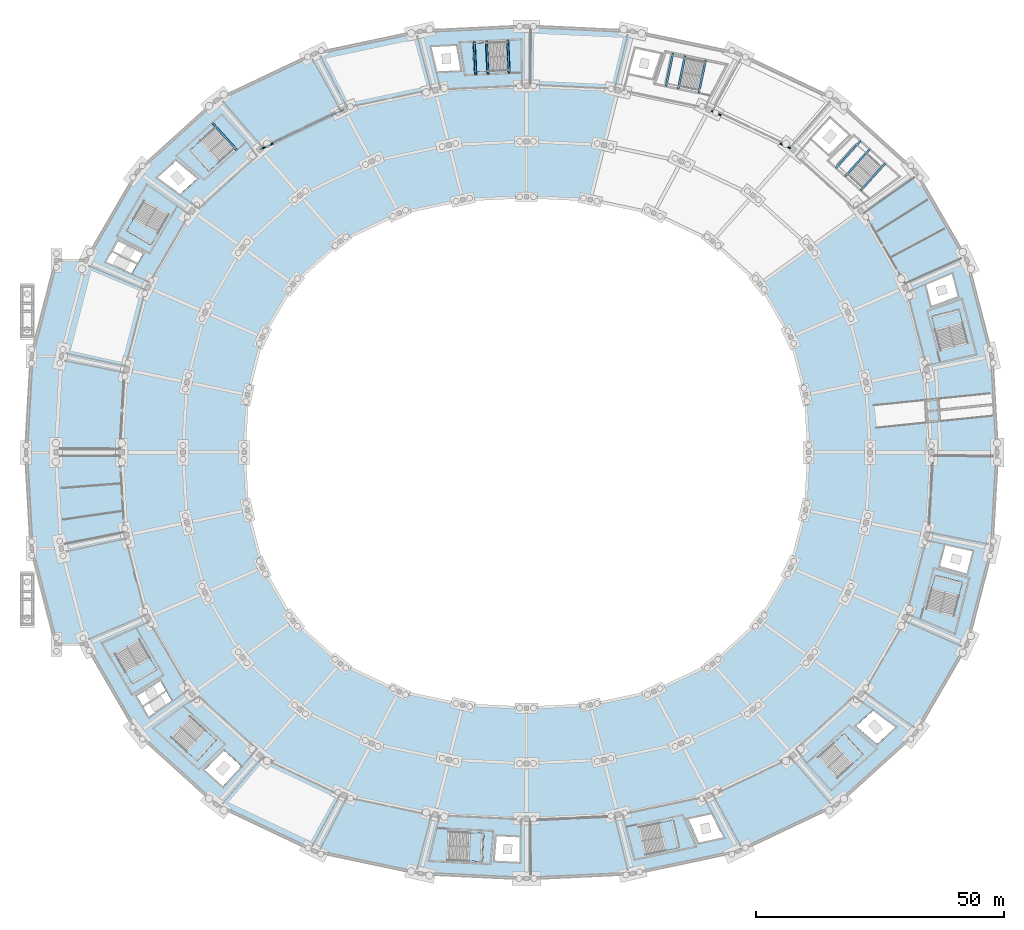
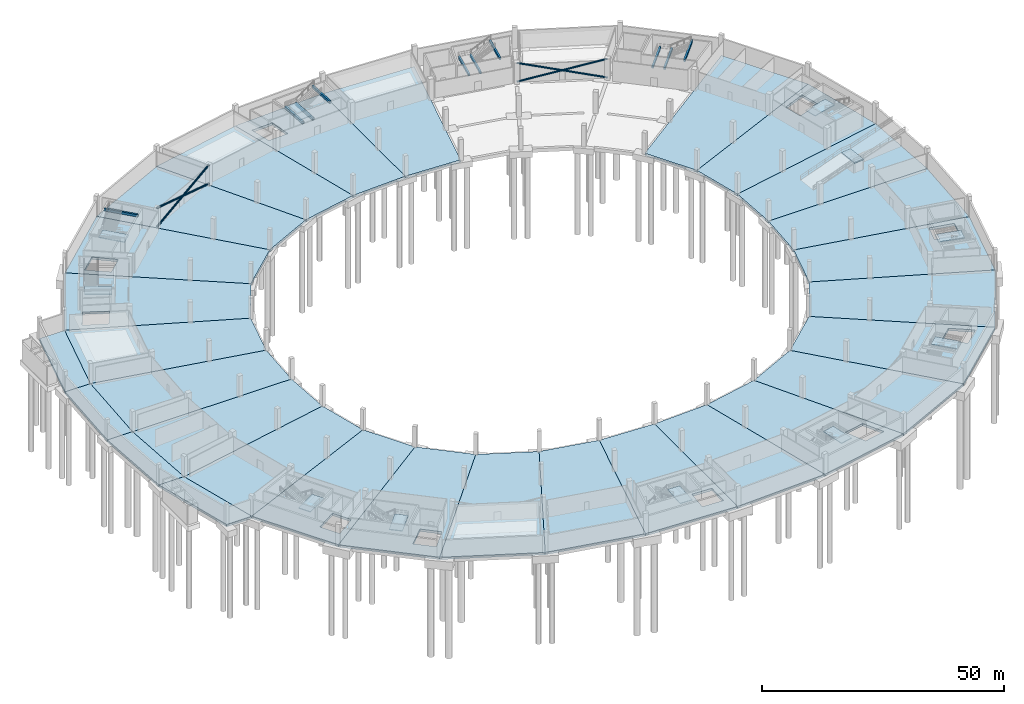
# One storey, part 8 of 49: 40 slabs, 10 beams, 4 members, 10 elements without a shape of their own.
"""IFC4 building model written with IfcOpenShell, lengths in metres."""

from ifc_helpers import new_model, si_unit, direction, frame, origin, origin_2d, place, context, subcontext, project, spatial, polyline, rectangle, hollow_circle, outline, extrude, material, layer, layer_set, material_profile, profile_set, type_object, element, aggregate, save


model = new_model("IFC4")

# Units and contexts
model_context = context("Model", 3, precision=1e-05, world=origin(), true_north=direction((0.0, 1.0)))
body_context = subcontext(model_context, "Body", "Model", "MODEL_VIEW")
ifc_project = project(units=[si_unit("LENGTHUNIT", "METRE"), si_unit("AREAUNIT", "SQUARE_METRE"), si_unit("VOLUMEUNIT", "CUBIC_METRE"), si_unit("PLANEANGLEUNIT", "RADIAN"), si_unit("MASSUNIT", "GRAM", prefix="KILO")], contexts=[model_context])

# Site, building, storey
site_placement = place(None, origin())
site = spatial("IfcSite", under=ifc_project, at=site_placement, CompositionType="ELEMENT")
building_placement = place(site_placement, origin())
building = spatial("IfcBuilding", under=site, at=building_placement, Name="Kazemori Nagisa Stadium", CompositionType="ELEMENT")
storey_placement = place(building_placement, frame((0.0, 0.0, -5.43994140625)))
storey = spatial("IfcBuildingStorey", under=building, at=storey_placement, Name="B1", CompositionType="ELEMENT", Elevation=-5.43994140625)

# Beams
ifc_material_1 = material(Name="Concrete C40/50 (Fc42)", Category="concrete")
ifc_material_profile_1 = material_profile(ifc_material_1, rectangle(XDim=0.39990234375, YDim=0.60009765625, at=origin_2d()), Name="RC-BM-400x600")
ifc_profile_set_1 = profile_set([ifc_material_profile_1], Name="Concrete C40/50 (Fc42)")
beam_type = type_object("IfcBeamType", Name="Beam_BG-LND400X600", PredefinedType="BEAM", material=ifc_profile_set_1)
beam_1_placement = place(storey_placement, frame((187.307373046875, 157.717041015625, 2.219970703125), z_axis=(0.671129682405, 0.741339968837, 0.0), x_axis=(-0.741339968837, 0.671129682405, 0.0)))
element("IfcBeam", 1, at=beam_1_placement, inside=storey, type_object=beam_type, Name="Core stair mid-landing girder ST01-B1-1", PredefinedType="BEAM", context=body_context, shape_type="SweptSolid", body=[
    extrude(rectangle(XDim=0.39990234375, YDim=0.60009765625, at=origin_2d()), origin(), (0.0, 0.0, 1.0), 7.3857421875),
])
beam_2_placement = place(storey_placement, frame((185.4541015625, 159.394775390625, 2.219970703125), z_axis=(0.671113236271, 0.74135485707, 0.0), x_axis=(-0.74135485707, 0.671113236271, 0.0)))
element("IfcBeam", 2, at=beam_2_placement, inside=storey, type_object=beam_type, Name="Core stair mid-landing girder ST01-B1-2", PredefinedType="BEAM", context=body_context, shape_type="SweptSolid", body=[
    extrude(rectangle(XDim=0.39990234375, YDim=0.60009765625, at=origin_2d()), origin(), (0.0, 0.0, 1.0), 7.385986328125),
])
beam_3_placement = place(storey_placement, frame((190.454345703125, 154.8681640625, 4.83984375), z_axis=(0.671129682405, 0.741339968837, 0.0), x_axis=(-0.741339968837, 0.671129682405, 0.0)))
element("IfcBeam", 3, at=beam_3_placement, inside=storey, type_object=beam_type, Name="Core stair arrival header girder ST01-B1", PredefinedType="BEAM", context=body_context, shape_type="SweptSolid", body=[
    extrude(rectangle(XDim=0.39990234375, YDim=0.60009765625, at=origin_2d()), origin(), (0.0, 0.0, 1.0), 7.3857421875),
])
beam_4_placement = place(storey_placement, frame((153.6015625, 175.377685546875, 2.219970703125), z_axis=(0.20695595975, 0.978350259735, 0.0), x_axis=(-0.978350259735, 0.20695595975, 0.0)))
element("IfcBeam", 4, at=beam_4_placement, inside=storey, type_object=beam_type, Name="Core stair mid-landing girder ST11-B1-1", PredefinedType="BEAM", context=body_context, shape_type="SweptSolid", body=[
    extrude(rectangle(XDim=0.39990234375, YDim=0.60009765625, at=origin_2d()), origin(), (0.0, 0.0, 1.0), 6.83154296875),
])
for number, where, z_axis, x_axis, name in (
    (5, (151.155517578125, 175.895263671875, 2.219970703125), (0.206997403527, 0.978341491982, 0.0), (-0.978341491982, 0.206997403527, 0.0), "Core stair mid-landing girder ST11-B1-2"),
    (6, (157.754638671875, 174.499267578125, 4.83984375), (0.206963195966, 0.97834872899, 0.0), (-0.97834872899, 0.206963195966, 0.0), "Core stair arrival header girder ST11-B1"),
):
    element("IfcBeam", number, at=place(storey_placement, frame(where, z_axis=z_axis, x_axis=x_axis)), inside=storey, type_object=beam_type, Name=name, PredefinedType="BEAM", context=body_context, shape_type="SweptSolid", body=[
        extrude(rectangle(XDim=0.39990234375, YDim=0.60009765625, at=origin_2d()), origin(), (0.0, 0.0, 1.0), 6.831298828125),
    ])
beam_5_placement = place(storey_placement, frame((115.240234375, 178.34521484375, 2.219970703125), z_axis=(-0.047258730523, 0.998882681995, 0.0), x_axis=(-0.998882681995, -0.047258730523, 0.0)))
element("IfcBeam", 7, at=beam_5_placement, inside=storey, type_object=beam_type, Name="Core stair mid-landing girder ST05-B1-1", PredefinedType="BEAM", context=body_context, shape_type="SweptSolid", body=[
    extrude(rectangle(XDim=0.39990234375, YDim=0.60009765625, at=origin_2d()), origin(), (0.0, 0.0, 1.0), 6.700439453125),
])
beam_6_placement = place(storey_placement, frame((112.742919921875, 178.22705078125, 2.219970703125), z_axis=(-0.047220656191, 0.998884482625, 0.0), x_axis=(-0.998884482625, -0.047220656191, 0.0)))
element("IfcBeam", 8, at=beam_6_placement, inside=storey, type_object=beam_type, Name="Core stair mid-landing girder ST05-B1-2", PredefinedType="BEAM", context=body_context, shape_type="SweptSolid", body=[
    extrude(rectangle(XDim=0.39990234375, YDim=0.60009765625, at=origin_2d()), origin(), (0.0, 0.0, 1.0), 6.70068359375),
])
beam_7_placement = place(storey_placement, frame((119.48046875, 178.545654296875, 4.83984375), z_axis=(-0.047222374852, 0.998884401377, 0.0), x_axis=(-0.998884401377, -0.047222374852, 0.0)))
element("IfcBeam", 9, at=beam_7_placement, inside=storey, type_object=beam_type, Name="Core stair arrival header girder ST05-B1", PredefinedType="BEAM", context=body_context, shape_type="SweptSolid", body=[
    extrude(rectangle(XDim=0.39990234375, YDim=0.60009765625, at=origin_2d()), origin(), (0.0, 0.0, 1.0), 6.700439453125),
])
beam_8_placement = place(storey_placement, frame((64.543212890625, 163.01318359375, 4.83984375), z_axis=(-0.671113236271, 0.74135485707, 0.0), x_axis=(-0.74135485707, -0.671113236271, 0.0)))
element("IfcBeam", 10, at=beam_8_placement, inside=storey, type_object=beam_type, Name="Core stair arrival header girder ST02-B1", PredefinedType="BEAM", context=body_context, shape_type="SweptSolid", body=[
    extrude(rectangle(XDim=0.39990234375, YDim=0.60009765625, at=origin_2d()), origin(), (0.0, 0.0, 1.0), 7.385986328125),
])

# Members
ifc_material_2 = material(Name="Steel STK490", Category="steel")
ifc_material_profile_2 = material_profile(ifc_material_2, hollow_circle(Radius=0.203125, WallThickness=0.014404296875, at=origin_2d()), Name="CHS-406.4x14.3")
ifc_profile_set_2 = profile_set([ifc_material_profile_2], Name="Steel STK490")
member_type = type_object("IfcMemberType", Name="Member_TB-CHS406", PredefinedType="BRACE", material=ifc_profile_set_2)
for number, where, z_axis, x_axis, name in (
    (11, (176.834228515625, 163.11083984375, 0.349853515625), (-0.87593949142, 0.416216676717, 0.243913274327), (-0.42917915404, -0.90321938295, 0.0), "Seismic brace TB-CHS355 B1 B05-A"),
    (12, (159.81201171875, 171.19921875, 0.349853515625), (0.87593949142, -0.416216676717, 0.243913274327), (0.42917915404, 0.90321938295, 0.0), "Seismic brace TB-CHS318 B1 B05-B"),
    (13, (86.18798828125, 171.19921875, 0.349853515625), (-0.87593949142, -0.416216676717, 0.243913274327), (0.42917915404, -0.90321938295, 0.0), "Seismic brace TB-CHS355 B1 B10-A"),
    (14, (69.165771484375, 163.11083984375, 0.349853515625), (0.87593949142, 0.416216676717, 0.243913274327), (-0.42917915404, 0.90321938295, 0.0), "Seismic brace TB-CHS318 B1 B10-B"),
):
    element("IfcMember", number, at=place(storey_placement, frame(where, z_axis=z_axis, x_axis=x_axis)), inside=storey, type_object=member_type, Name=name, PredefinedType="BRACE", context=body_context, shape_type="SweptSolid", body=[
        extrude(hollow_circle(Radius=0.203125, WallThickness=0.014404296875, at=origin_2d()), origin(), (0.0, 0.0, 1.0), 19.43310546875),
    ])

# Slabs
ifc_material_3 = material(Name="Concrete C36/45 (Fc36)", Category="concrete")
ifc_layer_1 = layer(ifc_material_3, 0.60009765625, Name="Concrete C36/45 (Fc36)", Category="concrete")
ifc_layer_set_1 = layer_set([ifc_layer_1], Name="Concrete C36/45 (Fc36)")
slab_type_1 = type_object("IfcSlabType", Name="Slab_SL-BASE-600", PredefinedType="BASESLAB", material=ifc_layer_set_1)
slab_1_placement = place(storey_placement, frame((0.0, 0.0, -0.60009765625)))
element("IfcSlab", 15, at=slab_1_placement, inside=storey, type_object=slab_type_1, Name="Basement base slab B1 bay 01", PredefinedType="BASESLAB", context=body_context, shape_type="SweptSolid", body=[
    extrude(outline(polyline([(180.0, 102.0), (179.328369140625, 113.638671875), (216.880859375, 121.397705078125), (218.0, 102.0), (180.0, 102.0)])), origin(), (0.0, 0.0, 1.0), 0.60009765625),
])
slab_2_placement = place(storey_placement, frame((0.0, 0.0, -0.60009765625)))
element("IfcSlab", 16, at=slab_2_placement, inside=storey, type_object=slab_type_1, Name="Basement base slab B1 bay 02", PredefinedType="BASESLAB", context=body_context, shape_type="SweptSolid", body=[
    extrude(outline(polyline([(179.328369140625, 113.638671875), (176.3310546875, 125.249755859375), (211.885009765625, 140.74951171875), (216.880859375, 121.397705078125), (179.328369140625, 113.638671875)]), holes=[polyline([(204.751953125, 131.6064453125), (203.668212890625, 135.804931640625), (208.84375, 137.973876953125), (209.9970703125, 133.505859375), (204.751953125, 131.6064453125)])]), origin(), (0.0, 0.0, 1.0), 0.60009765625),
])
slab_3_placement = place(storey_placement, frame((0.0, 0.0, -0.60009765625)))
element("IfcSlab", 17, at=slab_3_placement, inside=storey, type_object=slab_type_1, Name="Basement base slab B1 bay 03", PredefinedType="BASESLAB", context=body_context, shape_type="SweptSolid", body=[
    extrude(outline(polyline([(176.3310546875, 125.249755859375), (170.09716796875, 136.00048828125), (201.495361328125, 158.667724609375), (211.885009765625, 140.74951171875), (176.3310546875, 125.249755859375)])), origin(), (0.0, 0.0, 1.0), 0.60009765625),
])
slab_4_placement = place(storey_placement, frame((0.0, 0.0, -0.60009765625)))
element("IfcSlab", 18, at=slab_4_placement, inside=storey, type_object=slab_type_1, Name="Basement base slab B1 bay 07", PredefinedType="BASESLAB", context=body_context, shape_type="SweptSolid", body=[
    extrude(outline(polyline([(135.856689453125, 152.9921875), (123.0, 153.60009765625), (123.0, 188.0), (144.427734375, 186.98681640625), (135.856689453125, 152.9921875)])), origin(), (0.0, 0.0, 1.0), 0.60009765625),
])
slab_5_placement = place(storey_placement, frame((0.0, 0.0, -0.60009765625)))
element("IfcSlab", 19, at=slab_5_placement, inside=storey, type_object=slab_type_1, Name="Basement base slab B1 bay 08", PredefinedType="BASESLAB", context=body_context, shape_type="SweptSolid", body=[
    extrude(outline(polyline([(123.0, 153.60009765625), (110.143310546875, 152.9921875), (101.572265625, 186.98681640625), (123.0, 188.0), (123.0, 153.60009765625)]), holes=[polyline([(109.63427734375, 179.112060546875), (104.9853515625, 178.89208984375), (103.82958984375, 183.825439453125), (108.77685546875, 184.0595703125), (109.63427734375, 179.112060546875)])]), origin(), (0.0, 0.0, 1.0), 0.60009765625),
])
slab_6_placement = place(storey_placement, frame((0.0, 0.0, -0.60009765625)))
element("IfcSlab", 20, at=slab_6_placement, inside=storey, type_object=slab_type_1, Name="Basement base slab B1 bay 09", PredefinedType="BASESLAB", context=body_context, shape_type="SweptSolid", body=[
    extrude(outline(polyline([(110.143310546875, 152.9921875), (97.317138671875, 150.278564453125), (80.1953125, 182.46435546875), (101.572265625, 186.98681640625), (110.143310546875, 152.9921875)])), origin(), (0.0, 0.0, 1.0), 0.60009765625),
])
slab_7_placement = place(storey_placement, frame((0.0, 0.0, -0.60009765625)))
element("IfcSlab", 21, at=slab_7_placement, inside=storey, type_object=slab_type_1, Name="Basement base slab B1 bay 10", PredefinedType="BASESLAB", context=body_context, shape_type="SweptSolid", body=[
    extrude(outline(polyline([(97.317138671875, 150.278564453125), (85.441162109375, 144.635498046875), (60.402099609375, 173.05908203125), (80.1953125, 182.46435546875), (97.317138671875, 150.278564453125)])), origin(), (0.0, 0.0, 1.0), 0.60009765625),
])
slab_8_placement = place(storey_placement, frame((0.0, 0.0, -0.60009765625)))
element("IfcSlab", 22, at=slab_8_placement, inside=storey, type_object=slab_type_1, Name="Basement base slab B1 bay 11", PredefinedType="BASESLAB", context=body_context, shape_type="SweptSolid", body=[
    extrude(outline(polyline([(85.441162109375, 144.635498046875), (75.90283203125, 136.00048828125), (44.504638671875, 158.667724609375), (60.402099609375, 173.05908203125), (85.441162109375, 144.635498046875)]), holes=[polyline([(56.495361328125, 157.260498046875), (53.046142578125, 154.13818359375), (48.557861328125, 157.4833984375), (52.228271484375, 160.80615234375), (56.495361328125, 157.260498046875)])]), origin(), (0.0, 0.0, 1.0), 0.60009765625),
])
slab_9_placement = place(storey_placement, frame((0.0, 0.0, -0.60009765625)))
element("IfcSlab", 23, at=slab_9_placement, inside=storey, type_object=slab_type_1, Name="Basement base slab B1 bay 12", PredefinedType="BASESLAB", context=body_context, shape_type="SweptSolid", body=[
    extrude(outline(polyline([(75.90283203125, 136.00048828125), (69.6689453125, 125.249755859375), (34.114990234375, 140.74951171875), (44.504638671875, 158.667724609375), (75.90283203125, 136.00048828125)]), holes=[polyline([(45.5595703125, 142.051025390625), (43.305419921875, 138.163330078125), (38.1923828125, 140.483642578125), (40.591064453125, 144.62060546875), (45.5595703125, 142.051025390625)])]), origin(), (0.0, 0.0, 1.0), 0.60009765625),
])
slab_10_placement = place(storey_placement, frame((0.0, 0.0, -0.60009765625)))
element("IfcSlab", 24, at=slab_10_placement, inside=storey, type_object=slab_type_1, Name="Basement base slab B1 bay 13", PredefinedType="BASESLAB", context=body_context, shape_type="SweptSolid", body=[
    extrude(outline(polyline([(69.6689453125, 125.249755859375), (66.671630859375, 113.638671875), (29.119140625, 121.397705078125), (34.114990234375, 140.74951171875), (69.6689453125, 125.249755859375)])), origin(), (0.0, 0.0, 1.0), 0.60009765625),
])
slab_11_placement = place(storey_placement, frame((0.0, 0.0, -0.60009765625)))
element("IfcSlab", 25, at=slab_11_placement, inside=storey, type_object=slab_type_1, Name="Basement base slab B1 bay 14", PredefinedType="BASESLAB", context=body_context, shape_type="SweptSolid", body=[
    extrude(outline(polyline([(66.671630859375, 113.638671875), (66.0, 102.0), (28.0, 102.0), (29.119140625, 121.397705078125), (66.671630859375, 113.638671875)])), origin(), (0.0, 0.0, 1.0), 0.60009765625),
])
slab_12_placement = place(storey_placement, frame((0.0, 0.0, -0.60009765625)))
element("IfcSlab", 26, at=slab_12_placement, inside=storey, type_object=slab_type_1, Name="Basement base slab B1 bay 15", PredefinedType="BASESLAB", context=body_context, shape_type="SweptSolid", body=[
    extrude(outline(polyline([(66.0, 102.0), (66.671630859375, 90.361328125), (29.119140625, 82.602294921875), (28.0, 102.0), (66.0, 102.0)])), origin(), (0.0, 0.0, 1.0), 0.60009765625),
])
slab_13_placement = place(storey_placement, frame((0.0, 0.0, -0.60009765625)))
element("IfcSlab", 27, at=slab_13_placement, inside=storey, type_object=slab_type_1, Name="Basement base slab B1 bay 16", PredefinedType="BASESLAB", context=body_context, shape_type="SweptSolid", body=[
    extrude(outline(polyline([(66.671630859375, 90.361328125), (69.6689453125, 78.750244140625), (34.114990234375, 63.25048828125), (29.119140625, 82.602294921875), (66.671630859375, 90.361328125)])), origin(), (0.0, 0.0, 1.0), 0.60009765625),
])
slab_14_placement = place(storey_placement, frame((0.0, 0.0, -0.60009765625)))
element("IfcSlab", 28, at=slab_14_placement, inside=storey, type_object=slab_type_1, Name="Basement base slab B1 bay 17", PredefinedType="BASESLAB", context=body_context, shape_type="SweptSolid", body=[
    extrude(outline(polyline([(69.6689453125, 78.750244140625), (75.90283203125, 67.99951171875), (44.504638671875, 45.332275390625), (34.114990234375, 63.25048828125), (69.6689453125, 78.750244140625)]), holes=[polyline([(49.128662109375, 55.793701171875), (51.3828125, 51.90625), (46.787841796875, 48.6923828125), (44.38916015625, 52.829345703125), (49.128662109375, 55.793701171875)])]), origin(), (0.0, 0.0, 1.0), 0.60009765625),
])
slab_15_placement = place(storey_placement, frame((0.0, 0.0, -0.60009765625)))
element("IfcSlab", 29, at=slab_15_placement, inside=storey, type_object=slab_type_1, Name="Basement base slab B1 bay 18", PredefinedType="BASESLAB", context=body_context, shape_type="SweptSolid", body=[
    extrude(outline(polyline([(75.90283203125, 67.99951171875), (85.441162109375, 59.364501953125), (60.402099609375, 30.94091796875), (44.504638671875, 45.332275390625), (75.90283203125, 67.99951171875)]), holes=[polyline([(61.956298828125, 41.795654296875), (65.405517578125, 38.67333984375), (61.710205078125, 34.6103515625), (58.039794921875, 37.93310546875), (61.956298828125, 41.795654296875)])]), origin(), (0.0, 0.0, 1.0), 0.60009765625),
])
slab_16_placement = place(storey_placement, frame((0.0, 0.0, -0.60009765625)))
element("IfcSlab", 30, at=slab_16_placement, inside=storey, type_object=slab_type_1, Name="Basement base slab B1 bay 19", PredefinedType="BASESLAB", context=body_context, shape_type="SweptSolid", body=[
    extrude(outline(polyline([(85.441162109375, 59.364501953125), (97.317138671875, 53.721435546875), (80.1953125, 21.53564453125), (60.402099609375, 30.94091796875), (85.441162109375, 59.364501953125)])), origin(), (0.0, 0.0, 1.0), 0.60009765625),
])
slab_17_placement = place(storey_placement, frame((0.0, 0.0, -0.60009765625)))
element("IfcSlab", 31, at=slab_17_placement, inside=storey, type_object=slab_type_1, Name="Basement base slab B1 bay 20", PredefinedType="BASESLAB", context=body_context, shape_type="SweptSolid", body=[
    extrude(outline(polyline([(97.317138671875, 53.721435546875), (110.143310546875, 51.0078125), (101.572265625, 17.01318359375), (80.1953125, 21.53564453125), (97.317138671875, 53.721435546875)])), origin(), (0.0, 0.0, 1.0), 0.60009765625),
])
slab_18_placement = place(storey_placement, frame((0.0, 0.0, -0.60009765625)))
element("IfcSlab", 32, at=slab_18_placement, inside=storey, type_object=slab_type_1, Name="Basement base slab B1 bay 21", PredefinedType="BASESLAB", context=body_context, shape_type="SweptSolid", body=[
    extrude(outline(polyline([(110.143310546875, 51.0078125), (123.0, 50.39990234375), (123.0, 16.0), (101.572265625, 17.01318359375), (110.143310546875, 51.0078125)]), holes=[polyline([(116.9951171875, 24.5400390625), (121.64404296875, 24.320068359375), (121.55712890625, 19.336181640625), (116.60986328125, 19.570068359375), (116.9951171875, 24.5400390625)])]), origin(), (0.0, 0.0, 1.0), 0.60009765625),
])
slab_19_placement = place(storey_placement, frame((0.0, 0.0, -0.60009765625)))
element("IfcSlab", 33, at=slab_19_placement, inside=storey, type_object=slab_type_1, Name="Basement base slab B1 bay 22", PredefinedType="BASESLAB", context=body_context, shape_type="SweptSolid", body=[
    extrude(outline(polyline([(123.0, 50.39990234375), (135.856689453125, 51.0078125), (144.427734375, 17.01318359375), (123.0, 16.0), (123.0, 50.39990234375)])), origin(), (0.0, 0.0, 1.0), 0.60009765625),
])
slab_20_placement = place(storey_placement, frame((0.0, 0.0, -0.60009765625)))
element("IfcSlab", 34, at=slab_20_placement, inside=storey, type_object=slab_type_1, Name="Basement base slab B1 bay 23", PredefinedType="BASESLAB", context=body_context, shape_type="SweptSolid", body=[
    extrude(outline(polyline([(135.856689453125, 51.0078125), (148.682861328125, 53.721435546875), (165.8046875, 21.53564453125), (144.427734375, 17.01318359375), (135.856689453125, 51.0078125)]), holes=[polyline([(155.704833984375, 27.992919921875), (160.3427734375, 28.97412109375), (162.738525390625, 24.288818359375), (157.802978515625, 23.24462890625), (155.704833984375, 27.992919921875)])]), origin(), (0.0, 0.0, 1.0), 0.60009765625),
])
slab_21_placement = place(storey_placement, frame((0.0, 0.0, -0.60009765625)))
element("IfcSlab", 35, at=slab_21_placement, inside=storey, type_object=slab_type_1, Name="Basement base slab B1 bay 24", PredefinedType="BASESLAB", context=body_context, shape_type="SweptSolid", body=[
    extrude(outline(polyline([(148.682861328125, 53.721435546875), (160.558837890625, 59.364501953125), (185.597900390625, 30.94091796875), (165.8046875, 21.53564453125), (148.682861328125, 53.721435546875)])), origin(), (0.0, 0.0, 1.0), 0.60009765625),
])
slab_22_placement = place(storey_placement, frame((0.0, 0.0, -0.60009765625)))
element("IfcSlab", 36, at=slab_22_placement, inside=storey, type_object=slab_type_1, Name="Basement base slab B1 bay 25", PredefinedType="BASESLAB", context=body_context, shape_type="SweptSolid", body=[
    extrude(outline(polyline([(160.558837890625, 59.364501953125), (170.09716796875, 67.99951171875), (201.495361328125, 45.332275390625), (185.597900390625, 30.94091796875), (160.558837890625, 59.364501953125)]), holes=[polyline([(189.504638671875, 46.739501953125), (192.953857421875, 49.86181640625), (197.442138671875, 46.5166015625), (193.771728515625, 43.19384765625), (189.504638671875, 46.739501953125)])]), origin(), (0.0, 0.0, 1.0), 0.60009765625),
])
slab_23_placement = place(storey_placement, frame((0.0, 0.0, -0.60009765625)))
element("IfcSlab", 37, at=slab_23_placement, inside=storey, type_object=slab_type_1, Name="Basement base slab B1 bay 26", PredefinedType="BASESLAB", context=body_context, shape_type="SweptSolid", body=[
    extrude(outline(polyline([(170.09716796875, 67.99951171875), (176.3310546875, 78.750244140625), (211.885009765625, 63.25048828125), (201.495361328125, 45.332275390625), (170.09716796875, 67.99951171875)])), origin(), (0.0, 0.0, 1.0), 0.60009765625),
])
slab_24_placement = place(storey_placement, frame((0.0, 0.0, -0.60009765625)))
element("IfcSlab", 38, at=slab_24_placement, inside=storey, type_object=slab_type_1, Name="Basement base slab B1 bay 27", PredefinedType="BASESLAB", context=body_context, shape_type="SweptSolid", body=[
    extrude(outline(polyline([(176.3310546875, 78.750244140625), (179.328369140625, 90.361328125), (216.880859375, 82.602294921875), (211.885009765625, 63.25048828125), (176.3310546875, 78.750244140625)]), holes=[polyline([(206.46826171875, 79.041259765625), (207.552001953125, 83.239990234375), (212.976806640625, 82.036376953125), (211.823486328125, 77.568359375), (206.46826171875, 79.041259765625)])]), origin(), (0.0, 0.0, 1.0), 0.60009765625),
])
slab_25_placement = place(storey_placement, frame((0.0, 0.0, -0.60009765625)))
element("IfcSlab", 39, at=slab_25_placement, inside=storey, type_object=slab_type_1, Name="Basement base slab B1 bay 28", PredefinedType="BASESLAB", context=body_context, shape_type="SweptSolid", body=[
    extrude(outline(polyline([(179.328369140625, 90.361328125), (180.0, 102.0), (218.0, 102.0), (216.880859375, 82.602294921875), (179.328369140625, 90.361328125)])), origin(), (0.0, 0.0, 1.0), 0.60009765625),
])
slab_26_placement = place(storey_placement, frame((0.0, 0.0, -0.60009765625)))
element("IfcSlab", 40, at=slab_26_placement, inside=storey, type_object=slab_type_1, Name="Basement west boulevard base slab B13", PredefinedType="BASESLAB", context=body_context, shape_type="SweptSolid", body=[
    extrude(outline(polyline([(34.114990234375, 140.74951171875), (29.119140625, 121.397705078125), (23.119140625, 121.397705078125), (28.114990234375, 140.74951171875), (34.114990234375, 140.74951171875)])), origin(), (0.0, 0.0, 1.0), 0.60009765625),
])
slab_27_placement = place(storey_placement, frame((0.0, 0.0, -0.60009765625)))
element("IfcSlab", 41, at=slab_27_placement, inside=storey, type_object=slab_type_1, Name="Basement west boulevard base slab B14", PredefinedType="BASESLAB", context=body_context, shape_type="SweptSolid", body=[
    extrude(outline(polyline([(29.119140625, 121.397705078125), (28.0, 102.0), (22.0, 102.0), (23.119140625, 121.397705078125), (29.119140625, 121.397705078125)])), origin(), (0.0, 0.0, 1.0), 0.60009765625),
])
slab_28_placement = place(storey_placement, frame((0.0, 0.0, -0.60009765625)))
element("IfcSlab", 42, at=slab_28_placement, inside=storey, type_object=slab_type_1, Name="Basement west boulevard base slab B15", PredefinedType="BASESLAB", context=body_context, shape_type="SweptSolid", body=[
    extrude(outline(polyline([(28.0, 102.0), (29.119140625, 82.602294921875), (23.119140625, 82.602294921875), (22.0, 102.0), (28.0, 102.0)])), origin(), (0.0, 0.0, 1.0), 0.60009765625),
])
slab_29_placement = place(storey_placement, frame((0.0, 0.0, -0.60009765625)))
element("IfcSlab", 43, at=slab_29_placement, inside=storey, type_object=slab_type_1, Name="Basement west boulevard base slab B16", PredefinedType="BASESLAB", context=body_context, shape_type="SweptSolid", body=[
    extrude(outline(polyline([(29.119140625, 82.602294921875), (34.114990234375, 63.25048828125), (28.114990234375, 63.25048828125), (23.119140625, 82.602294921875), (29.119140625, 82.602294921875)])), origin(), (0.0, 0.0, 1.0), 0.60009765625),
])

# Stair, slab
stair_type = type_object("IfcStairType", Name="Stair_CORE_32", PredefinedType="TWO_STRAIGHT_RUN_STAIR", material=ifc_material_3)
stair_1_placement = place(storey_placement, origin())
stair_1 = element("IfcStair", 44, at=stair_1_placement, inside=storey, type_object=stair_type, Name="Exit stair ST07 B1", PredefinedType="TWO_STRAIGHT_RUN_STAIR")
ifc_layer_2 = layer(ifc_material_3, 0.199951171875, Name="Concrete C36/45 (Fc36)", Category="concrete")
ifc_layer_set_2 = layer_set([ifc_layer_2], Name="Concrete C36/45 (Fc36)")
slab_type_2 = type_object("IfcSlabType", Name="Slab_SL-LND-200", PredefinedType="LANDING", material=ifc_layer_set_2)
slab_30_placement = place(storey_placement, frame((0.0, 0.0, 2.52001953125)))
slab_30 = element("IfcSlab", 45, at=slab_30_placement, type_object=slab_type_2, Name="Exit stair ST07 B1 mid-landing", PredefinedType="LANDING", context=body_context, shape_type="SweptSolid", body=[
    extrude(outline(polyline([(205.472412109375, 126.751708984375), (204.760009765625, 129.51123046875), (210.279052734375, 130.93603515625), (210.991455078125, 128.17626953125), (205.472412109375, 126.751708984375)])), origin(), (0.0, 0.0, 1.0), 0.199951171875),
])
aggregate(stair_1, [slab_30])

stair_2_placement = place(storey_placement, origin())
stair_2 = element("IfcStair", 46, at=stair_2_placement, inside=storey, type_object=stair_type, Name="Exit stair ST05 B1", PredefinedType="TWO_STRAIGHT_RUN_STAIR")
slab_31_placement = place(storey_placement, frame((0.0, 0.0, 2.52001953125)))
slab_31 = element("IfcSlab", 47, at=slab_31_placement, type_object=slab_type_2, Name="Exit stair ST05 B1 mid-landing", PredefinedType="LANDING", context=body_context, shape_type="SweptSolid", body=[
    extrude(outline(polyline([(115.212158203125, 178.93798828125), (112.365234375, 178.803466796875), (112.09619140625, 184.4970703125), (114.94287109375, 184.631591796875), (115.212158203125, 178.93798828125)])), origin(), (0.0, 0.0, 1.0), 0.199951171875),
])
aggregate(stair_2, [slab_31])

stair_3_placement = place(storey_placement, origin())
stair_3 = element("IfcStair", 48, at=stair_3_placement, inside=storey, type_object=stair_type, Name="Exit stair ST02 B1", PredefinedType="TWO_STRAIGHT_RUN_STAIR")
slab_32_placement = place(storey_placement, frame((0.0, 0.0, 2.52001953125)))
slab_32 = element("IfcSlab", 49, at=slab_32_placement, type_object=slab_type_2, Name="Exit stair ST02 B1 mid-landing", PredefinedType="LANDING", context=body_context, shape_type="SweptSolid", body=[
    extrude(outline(polyline([(60.97412109375, 160.630615234375), (58.861328125, 158.7177734375), (55.035888671875, 162.943603515625), (57.148681640625, 164.856201171875), (60.97412109375, 160.630615234375)])), origin(), (0.0, 0.0, 1.0), 0.199951171875),
])
aggregate(stair_3, [slab_32])

stair_4_placement = place(storey_placement, origin())
stair_4 = element("IfcStair", 50, at=stair_4_placement, inside=storey, type_object=stair_type, Name="Exit stair ST08 B1", PredefinedType="TWO_STRAIGHT_RUN_STAIR")
slab_33_placement = place(storey_placement, frame((0.0, 0.0, 2.52001953125)))
slab_33 = element("IfcSlab", 51, at=slab_33_placement, type_object=slab_type_2, Name="Exit stair ST08 B1 mid-landing", PredefinedType="LANDING", context=body_context, shape_type="SweptSolid", body=[
    extrude(outline(polyline([(48.606689453125, 146.268310546875), (47.17724609375, 143.802734375), (42.24609375, 146.661865234375), (43.67578125, 149.12744140625), (48.606689453125, 146.268310546875)])), origin(), (0.0, 0.0, 1.0), 0.199951171875),
])
aggregate(stair_4, [slab_33])

stair_5_placement = place(storey_placement, origin())
stair_5 = element("IfcStair", 52, at=stair_5_placement, inside=storey, type_object=stair_type, Name="Exit stair ST09 B1", PredefinedType="TWO_STRAIGHT_RUN_STAIR")
slab_34_placement = place(storey_placement, frame((0.0, 0.0, 2.52001953125)))
slab_34 = element("IfcSlab", 53, at=slab_34_placement, type_object=slab_type_2, Name="Exit stair ST09 B1 mid-landing", PredefinedType="LANDING", context=body_context, shape_type="SweptSolid", body=[
    extrude(outline(polyline([(46.988037109375, 60.523681640625), (48.41748046875, 58.05810546875), (43.486572265625, 55.198974609375), (42.056884765625, 57.66455078125), (46.988037109375, 60.523681640625)])), origin(), (0.0, 0.0, 1.0), 0.199951171875),
])
aggregate(stair_5, [slab_34])

stair_6_placement = place(storey_placement, origin())
stair_6 = element("IfcStair", 54, at=stair_6_placement, inside=storey, type_object=stair_type, Name="Exit stair ST03 B1", PredefinedType="TWO_STRAIGHT_RUN_STAIR")
slab_35_placement = place(storey_placement, frame((0.0, 0.0, 2.52001953125)))
slab_35 = element("IfcSlab", 55, at=slab_35_placement, type_object=slab_type_2, Name="Exit stair ST03 B1 mid-landing", PredefinedType="LANDING", context=body_context, shape_type="SweptSolid", body=[
    extrude(outline(polyline([(58.270751953125, 45.81689453125), (60.383544921875, 43.904052734375), (56.55810546875, 39.678466796875), (54.4453125, 41.591064453125), (58.270751953125, 45.81689453125)])), origin(), (0.0, 0.0, 1.0), 0.199951171875),
])
aggregate(stair_6, [slab_35])

stair_7_placement = place(storey_placement, origin())
stair_7 = element("IfcStair", 56, at=stair_7_placement, inside=storey, type_object=stair_type, Name="Exit stair ST12 B1", PredefinedType="TWO_STRAIGHT_RUN_STAIR")
slab_36_placement = place(storey_placement, frame((0.0, 0.0, 2.52001953125)))
slab_36 = element("IfcSlab", 57, at=slab_36_placement, type_object=slab_type_2, Name="Exit stair ST12 B1 mid-landing", PredefinedType="LANDING", context=body_context, shape_type="SweptSolid", body=[
    extrude(outline(polyline([(111.56494140625, 25.234375), (114.411865234375, 25.099853515625), (114.142578125, 19.40625), (111.2958984375, 19.540771484375), (111.56494140625, 25.234375)])), origin(), (0.0, 0.0, 1.0), 0.199951171875),
])
aggregate(stair_7, [slab_36])

stair_8_placement = place(storey_placement, origin())
stair_8 = element("IfcStair", 58, at=stair_8_placement, inside=storey, type_object=stair_type, Name="Exit stair ST06 B1", PredefinedType="TWO_STRAIGHT_RUN_STAIR")
slab_37_placement = place(storey_placement, frame((0.0, 0.0, 2.52001953125)))
slab_37 = element("IfcSlab", 59, at=slab_37_placement, type_object=slab_type_2, Name="Exit stair ST06 B1 mid-landing", PredefinedType="LANDING", context=body_context, shape_type="SweptSolid", body=[
    extrude(outline(polyline([(149.929931640625, 27.231689453125), (152.71826171875, 27.82177734375), (153.89794921875, 22.2451171875), (151.10986328125, 21.6552734375), (149.929931640625, 27.231689453125)])), origin(), (0.0, 0.0, 1.0), 0.199951171875),
])
aggregate(stair_8, [slab_37])

stair_9_placement = place(storey_placement, origin())
stair_9 = element("IfcStair", 60, at=stair_9_placement, inside=storey, type_object=stair_type, Name="Exit stair ST04 B1", PredefinedType="TWO_STRAIGHT_RUN_STAIR")
slab_38_placement = place(storey_placement, frame((0.0, 0.0, 2.52001953125)))
slab_38 = element("IfcSlab", 61, at=slab_38_placement, type_object=slab_type_2, Name="Exit stair ST04 B1 mid-landing", PredefinedType="LANDING", context=body_context, shape_type="SweptSolid", body=[
    extrude(outline(polyline([(185.02587890625, 43.369384765625), (187.138671875, 45.2822265625), (190.964111328125, 41.056396484375), (188.851318359375, 39.143798828125), (185.02587890625, 43.369384765625)])), origin(), (0.0, 0.0, 1.0), 0.199951171875),
])
aggregate(stair_9, [slab_38])

stair_10_placement = place(storey_placement, origin())
stair_10 = element("IfcStair", 62, at=stair_10_placement, inside=storey, type_object=stair_type, Name="Exit stair ST10 B1", PredefinedType="TWO_STRAIGHT_RUN_STAIR")
slab_39_placement = place(storey_placement, frame((0.0, 0.0, 2.52001953125)))
slab_39 = element("IfcSlab", 63, at=slab_39_placement, type_object=slab_type_2, Name="Exit stair ST10 B1 mid-landing", PredefinedType="LANDING", context=body_context, shape_type="SweptSolid", body=[
    extrude(outline(polyline([(204.769775390625, 74.526611328125), (205.482177734375, 77.2861328125), (211.001220703125, 75.861328125), (210.288818359375, 73.101806640625), (204.769775390625, 74.526611328125)])), origin(), (0.0, 0.0, 1.0), 0.199951171875),
])
aggregate(stair_10, [slab_39])

# Slab
ifc_layer_3 = layer(ifc_material_3, 0.25, Name="Concrete C36/45 (Fc36)", Category="concrete")
ifc_layer_set_3 = layer_set([ifc_layer_3], Name="Concrete C36/45 (Fc36)")
slab_type_3 = type_object("IfcSlabType", Name="Slab_SL-RMP-240", PredefinedType="LANDING", material=ifc_layer_set_3)
slab_40_placement = place(storey_placement, frame((0.0, 0.0, 2.419921875)))
element("IfcSlab", 64, at=slab_40_placement, inside=storey, type_object=slab_type_3, Name="Vehicle service ramp mid-landing RV1", PredefinedType="LANDING", context=body_context, shape_type="SweptSolid", body=[
    extrude(outline(polyline([(203.9794921875, 108.0244140625), (206.340576171875, 108.266845703125), (205.87451171875, 112.802978515625), (203.513671875, 112.560546875), (203.9794921875, 108.0244140625)])), origin(), (0.0, 0.0, 1.0), 0.300048828125),
])

save(model, "model.ifc")
